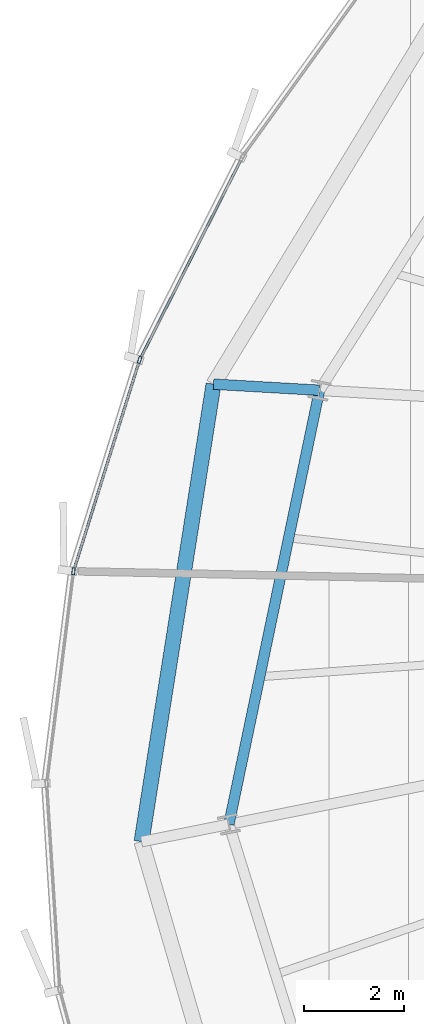
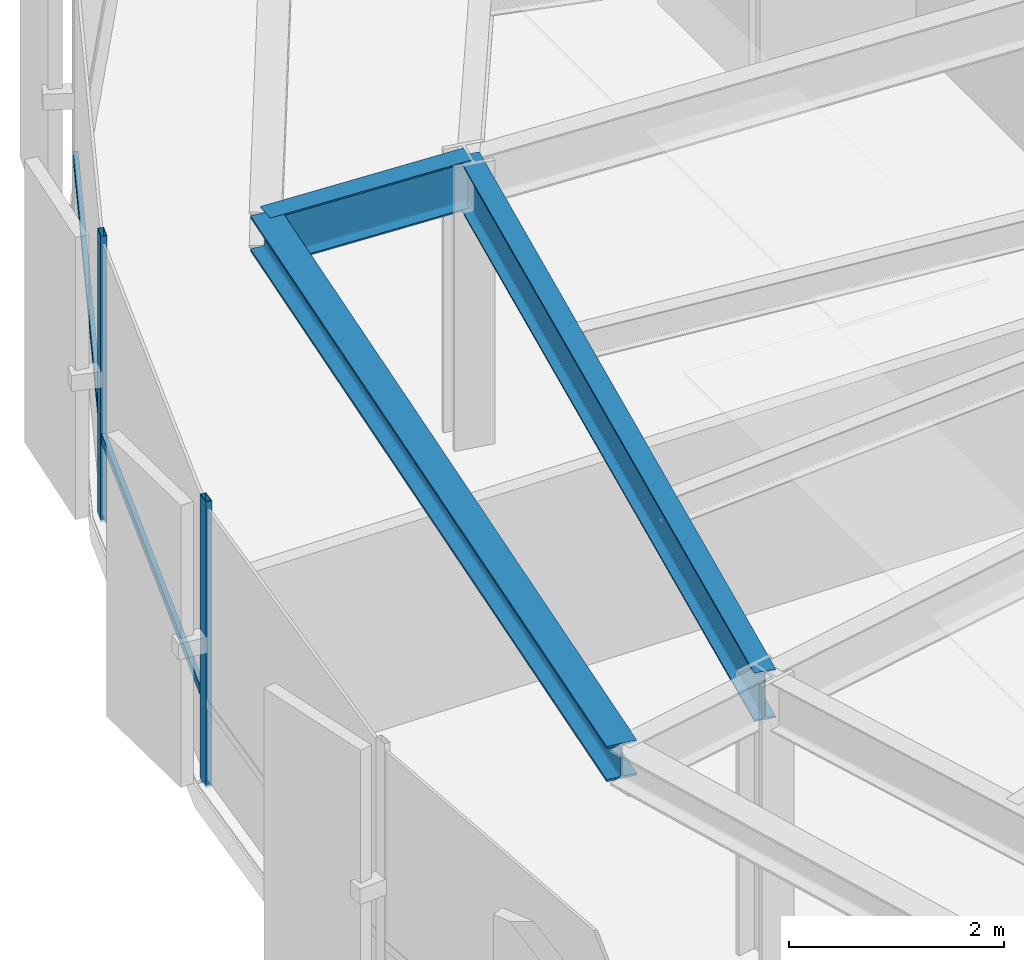
# One storey, part 11 of 35: 4 members, 3 beams, 1 element without a shape of its own.
"""IFC4 building model written with IfcOpenShell, lengths in metres."""

import ifcopenshell
import ifcopenshell.guid

model = None  # the IFC model being written
_history = None  # IfcOwnerHistory: only IFC2X3 demands one
_inside = {}  # id of a spatial element -> (the spatial element, [elements in it])
_under = {}  # id of a project, library or spatial element -> (it, [spatial elements below it])
_declared = {}  # id of a project -> (the project, [libraries it declares])
_typed = {}  # id of a type object -> (the type object, [elements of that type])
_made_of = {}  # id of a material, layer set ... -> (it, [elements and type objects made of it])


def new_model(schema):
    """Start an empty IFC model of exactly this schema.

    Asked for "IFC4X3", IfcOpenShell would pick the latest addendum, in which some entities
    have other attributes; the version numbers below select the first issue.
    IFC2X3 requires an IfcOwnerHistory on every rooted entity: one is made here for all.
    """
    global model, _history
    if schema == "IFC4X3":
        model = ifcopenshell.file(schema_version=(4, 3, 0, 0))
    else:
        model = ifcopenshell.file(schema=schema)
    _inside.clear()
    _under.clear()
    _declared.clear()
    _typed.clear()
    _made_of.clear()
    _history = None
    if model.schema == "IFC2X3":
        org = make("IfcOrganization", Name="unknown")
        user = make(
            "IfcPersonAndOrganization",
            ThePerson=make("IfcPerson", FamilyName="unknown"),
            TheOrganization=org,
        )
        app = make(
            "IfcApplication",
            ApplicationDeveloper=org,
            Version="unknown",
            ApplicationFullName="unknown",
            ApplicationIdentifier="unknown",
        )
        _history = make(
            "IfcOwnerHistory",
            OwningUser=user,
            OwningApplication=app,
            ChangeAction="ADDED",
            CreationDate=0,
        )
    return model


def make(cls, **values):
    """One entity of the class cls with the attributes given. An attribute that is None is left unset."""
    return model.create_entity(
        cls, **{name: value for name, value in values.items() if value is not None}
    )


def rooted(cls, **values):
    """An entity with a GlobalId (a new one), such as an element, a storey or a relation."""
    return make(cls, GlobalId=ifcopenshell.guid.new(), OwnerHistory=_history, **values)


def si_unit(unit_type, name, prefix=None):
    """IfcSIUnit, for example si_unit("LENGTHUNIT", "METRE", prefix="MILLI")."""
    return make("IfcSIUnit", UnitType=unit_type, Prefix=prefix, Name=name)


def assignment(units):
    """IfcUnitAssignment: the units of a project."""
    return None if units is None else make("IfcUnitAssignment", Units=units)


def point(xyz):
    """IfcCartesianPoint."""
    return None if xyz is None else make("IfcCartesianPoint", Coordinates=xyz)


def direction(xyz):
    """IfcDirection."""
    return None if xyz is None else make("IfcDirection", DirectionRatios=xyz)


def frame(location, z_axis=None, x_axis=None):
    """IfcAxis2Placement3D, a coordinate frame: its origin and axes. An axis left out is left unset."""
    return make(
        "IfcAxis2Placement3D",
        Location=point(location),
        Axis=direction(z_axis),
        RefDirection=direction(x_axis),
    )


def frame_2d(location, x_axis=None):
    """IfcAxis2Placement2D, a coordinate frame in the plane: its origin and x axis."""
    return make(
        "IfcAxis2Placement2D", Location=point(location), RefDirection=direction(x_axis)
    )


def origin():
    """The frame at (0, 0, 0) with its axes left unset."""
    return frame((0.0, 0.0, 0.0))


def origin_2d():
    """The frame at (0, 0) in the plane with its x axis left unset."""
    return frame_2d((0.0, 0.0))


def place(relative_to, where):
    """IfcLocalPlacement: puts the frame where relative to a parent placement (None: the world)."""
    return make(
        "IfcLocalPlacement", PlacementRelTo=relative_to, RelativePlacement=where
    )


def context(
    kind, dimensions, precision=None, world=None, true_north=None, identifier=None
):
    """IfcGeometricRepresentationContext, for example the 3D "Model" context."""
    return make(
        "IfcGeometricRepresentationContext",
        ContextIdentifier=identifier,
        ContextType=kind,
        CoordinateSpaceDimension=dimensions,
        Precision=precision,
        WorldCoordinateSystem=world,
        TrueNorth=true_north,
    )


def subcontext(parent, identifier, kind, view, scale=None):
    """IfcGeometricRepresentationSubContext, for example "Body" below "Model"."""
    return make(
        "IfcGeometricRepresentationSubContext",
        ContextIdentifier=identifier,
        ContextType=kind,
        ParentContext=parent,
        TargetScale=scale,
        TargetView=view,
    )


def project(units=None, contexts=None):
    """IfcProject with its units and contexts."""
    return rooted(
        "IfcProject",
        Name="project",
        RepresentationContexts=contexts,
        UnitsInContext=assignment(units),
    )


def spatial(cls, under=None, at=None, **own):
    """A site, building, storey or space (cls), placed at a placement, below another one or the project."""
    s = rooted(cls, ObjectPlacement=at, **own)
    if under is not None:
        _under.setdefault(under.id(), (under, []))[1].append(s)
    return s


def profile(cls, at=None, kind="AREA", **sizes):
    """A parametric profile (cls). Its sizes go by their IFC names, for example OverallWidth=200.0."""
    return make(cls, ProfileType=kind, Position=at, **sizes)


def hollow_rectangle(**sizes):
    """IfcRectangleHollowProfileDef."""
    return profile("IfcRectangleHollowProfileDef", **sizes)


def i_section(**sizes):
    """IfcIShapeProfileDef."""
    return profile("IfcIShapeProfileDef", **sizes)


def extrude(swept, where, along, depth):
    """IfcExtrudedAreaSolid: the profile swept, set in the frame where, extruded along a direction by depth."""
    return make(
        "IfcExtrudedAreaSolid",
        SweptArea=swept,
        Position=where,
        ExtrudedDirection=direction(along),
        Depth=depth,
    )


def shape(context_of_items, identifier, shape_type, items):
    """IfcShapeRepresentation: the items that make up one representation, for example the "Body"."""
    return make(
        "IfcShapeRepresentation",
        ContextOfItems=context_of_items,
        RepresentationIdentifier=identifier,
        RepresentationType=shape_type,
        Items=items,
    )


def source(mapping_origin, context_of_items, identifier, shape_type, items):
    """IfcRepresentationMap: a shape defined once, which mapped items show again and again."""
    return make(
        "IfcRepresentationMap",
        MappingOrigin=mapping_origin,
        MappedRepresentation=shape(context_of_items, identifier, shape_type, items),
    )


def transform(
    local_origin,
    x_axis=None,
    y_axis=None,
    z_axis=None,
    scale=None,
    scale2=None,
    scale3=None,
    uniform=True,
):
    """IfcCartesianTransformationOperator3D, or its non-uniform kind. x_axis, y_axis, z_axis: its Axis1, 2, 3."""
    if uniform:
        return make(
            "IfcCartesianTransformationOperator3D",
            Axis1=direction(x_axis),
            Axis2=direction(y_axis),
            LocalOrigin=point(local_origin),
            Scale=scale,
            Axis3=direction(z_axis),
        )
    return make(
        "IfcCartesianTransformationOperator3DnonUniform",
        Axis1=direction(x_axis),
        Axis2=direction(y_axis),
        LocalOrigin=point(local_origin),
        Scale=scale,
        Axis3=direction(z_axis),
        Scale2=scale2,
        Scale3=scale3,
    )


def mapped(mapping_source, mapping_target):
    """IfcMappedItem: shows the shape of a source again, moved by a transform."""
    return make(
        "IfcMappedItem", MappingSource=mapping_source, MappingTarget=mapping_target
    )


def material(Name=None, Category=None):
    """IfcMaterial."""
    return make("IfcMaterial", Name=Name, Category=Category)


def layer(
    of_material, thickness, ventilated=None, Name=None, Category=None, Priority=None
):
    """IfcMaterialLayer: one layer of a wall or slab, of a material (None: an air gap)."""
    return make(
        "IfcMaterialLayer",
        Material=of_material,
        LayerThickness=thickness,
        IsVentilated=ventilated,
        Name=Name,
        Category=Category,
        Priority=Priority,
    )


def layer_set(layers, Name=None):
    """IfcMaterialLayerSet."""
    return make("IfcMaterialLayerSet", MaterialLayers=layers, LayerSetName=Name)


def material_profile(
    of_material, cross_section, Name=None, Category=None, Priority=None
):
    """IfcMaterialProfile: a cross section and its material."""
    return make(
        "IfcMaterialProfile",
        Name=Name,
        Material=of_material,
        Profile=cross_section,
        Priority=Priority,
        Category=Category,
    )


def profile_set(profiles, Name=None, composite=None):
    """IfcMaterialProfileSet."""
    return make(
        "IfcMaterialProfileSet",
        Name=Name,
        MaterialProfiles=profiles,
        CompositeProfile=composite,
    )


def made_of(thing, what):
    """Note that an element or type object is made of a material, layer set ...; save() writes the relation."""
    if what is not None:
        _made_of.setdefault(what.id(), (what, []))[1].append(thing)
    return thing


def type_object(cls, material=None, **own):
    """A type object (cls), such as IfcWallType, which elements share."""
    return made_of(rooted(cls, **own), material)


def element(
    cls,
    number,
    at=None,
    inside=None,
    cuts=None,
    type_object=None,
    material=None,
    context=None,
    identifier="Body",
    shape_type=None,
    held_by="IfcProductDefinitionShape",
    body=None,
    shapes=None,
    **own,
):
    """One element of the class cls, such as IfcWall. Its Tag is "e" and its number.

    at: its placement. inside: the storey or other place that contains it. cuts: it is an
    opening in that element (IfcRelVoidsElement). A single representation is given by context,
    identifier, shape_type and body (its items); several are given by shapes. held_by: the class
    of the entity that holds the representations. save() writes the other relations.
    """
    e = rooted(cls, Tag="e%d" % number, ObjectPlacement=at, **own)
    if body is not None:
        shapes = [shape(context, identifier, shape_type, body)]
    if shapes is not None:
        e.Representation = make(held_by, Representations=shapes)
    if inside is not None:
        _inside.setdefault(inside.id(), (inside, []))[1].append(e)
    if cuts is not None:
        rooted(
            "IfcRelVoidsElement", RelatingBuildingElement=cuts, RelatedOpeningElement=e
        )
    if type_object is not None:
        _typed.setdefault(type_object.id(), (type_object, []))[1].append(e)
    return made_of(e, material)


def aggregate(whole, parts):
    """IfcRelAggregates: a whole, such as a stair, and the parts it consists of."""
    return rooted("IfcRelAggregates", RelatingObject=whole, RelatedObjects=parts)


def save(model, path):
    """Write the relations noted so far, then the file.

    IfcRelAggregates (storeys below a building ...), IfcRelContainedInSpatialStructure (elements
    in a storey), IfcRelDefinesByType, IfcRelAssociatesMaterial and IfcRelDeclares: one each for
    every whole, place, type object, material and project.
    """
    for whole, parts in _under.values():
        aggregate(whole, parts)
    for where, things in _inside.values():
        rooted(
            "IfcRelContainedInSpatialStructure",
            RelatedElements=things,
            RelatingStructure=where,
        )
    for kind, things in _typed.values():
        rooted("IfcRelDefinesByType", RelatedObjects=things, RelatingType=kind)
    for what, things in _made_of.values():
        rooted("IfcRelAssociatesMaterial", RelatedObjects=things, RelatingMaterial=what)
    for by, libraries in _declared.values():
        rooted("IfcRelDeclares", RelatingContext=by, RelatedDefinitions=libraries)
    model.write(path)


model = new_model("IFC4")

# Units and contexts
model_context = context("Model", 3, precision=1e-05, world=origin(), true_north=direction((0.0, 1.0)))
body_context = subcontext(model_context, "Body", "Model", "MODEL_VIEW")
ifc_project = project(units=[si_unit("LENGTHUNIT", "METRE"), si_unit("AREAUNIT", "SQUARE_METRE"), si_unit("VOLUMEUNIT", "CUBIC_METRE"), si_unit("PLANEANGLEUNIT", "RADIAN"), si_unit("MASSUNIT", "GRAM", prefix="KILO"), si_unit("THERMODYNAMICTEMPERATUREUNIT", "KELVIN")], contexts=[model_context])

# Site, building, storey
site_placement = place(None, origin())
site = spatial("IfcSite", under=ifc_project, at=site_placement, CompositionType="ELEMENT")
building_placement = place(site_placement, origin())
building = spatial("IfcBuilding", under=site, at=building_placement, Name="Kethvar Cultural Tower", CompositionType="ELEMENT")
storey_placement = place(building_placement, frame((0.0, 0.0, 167.85009765625)))
storey = spatial("IfcBuildingStorey", under=building, at=storey_placement, Name="L43", CompositionType="ELEMENT", Elevation=167.85009765625)

# Beams
ifc_material_1 = material(Name="Steel S355J2", Category="steel")
ifc_material_profile_1 = material_profile(ifc_material_1, i_section(OverallWidth=0.2099609375, OverallDepth=0.550048828125, WebThickness=0.010986328125, FlangeThickness=0.01708984375, FilletRadius=0.02392578125, at=origin_2d()), Name="Steel S355J2 — IPE550")
ifc_profile_set_1 = profile_set([ifc_material_profile_1], Name="Steel S355J2 — IPE550")
beam_type_1 = type_object("IfcBeamType", Name="BM-IPE550", PredefinedType="BEAM", material=ifc_profile_set_1)
shared_shape_1 = source(origin(), body_context, "Body", "SweptSolid", [
    extrude(i_section(OverallWidth=0.2099609375, OverallDepth=0.550048828125, WebThickness=0.010986328125, FlangeThickness=0.01708984375, FilletRadius=0.02392578125, at=origin_2d()), origin(), (0.0, 0.0, 1.0), 8.82421875),
])
beam_1_placement = place(storey_placement, frame((25.988525390625, 31.939697265625, 2.962890625), z_axis=(-0.204350879122, -0.978897705688, 0.0), x_axis=(0.978897705688, -0.204350879122, 0.0)))
element("IfcBeam", 1, at=beam_1_placement, inside=storey, type_object=beam_type_1, Name="L43 Column Ring Tie Beam CR-08", PredefinedType="BEAM", context=body_context, shape_type="MappedRepresentation", body=[
    mapped(shared_shape_1, transform((0.0, 0.0, 0.0), scale=1.0)),
])
shared_shape_2 = source(origin(), body_context, "Body", "SweptSolid", [
    extrude(i_section(OverallWidth=0.2099609375, OverallDepth=0.550048828125, WebThickness=0.010986328125, FlangeThickness=0.01708984375, FilletRadius=0.02392578125, at=origin_2d()), origin(), (0.0, 0.0, 1.0), 2.112548828125),
])
beam_2_placement = place(storey_placement, frame((25.988525390625, 31.939697265625, 2.962890625), z_axis=(-0.998355876903, 0.057319656782, 0.0), x_axis=(-0.057319656782, -0.998355876903, 0.0)))
element("IfcBeam", 2, at=beam_2_placement, inside=storey, type_object=beam_type_1, Name="L43 Perimeter Cantilever Beam RC-08", PredefinedType="BEAM", context=body_context, shape_type="MappedRepresentation", body=[
    mapped(shared_shape_2, transform((0.0, 0.0, 0.0), scale=1.0)),
])
ifc_material_profile_2 = material_profile(ifc_material_1, i_section(OverallWidth=0.300048828125, OverallDepth=0.39990234375, WebThickness=0.013427734375, FlangeThickness=0.02392578125, FilletRadius=0.027099609375, at=origin_2d()), Name="Steel S355J2 — HEB400")
ifc_profile_set_2 = profile_set([ifc_material_profile_2], Name="Steel S355J2 — HEB400")
beam_type_2 = type_object("IfcBeamType", Name="BM-SP400", PredefinedType="SPANDREL", material=ifc_profile_set_2)
shared_shape_3 = source(origin(), body_context, "Body", "SweptSolid", [
    extrude(i_section(OverallWidth=0.300048828125, OverallDepth=0.39990234375, WebThickness=0.013427734375, FlangeThickness=0.02392578125, FilletRadius=0.027099609375, at=origin_2d()), origin(), (0.0, 0.0, 1.0), 9.217041015625),
])
beam_3_placement = place(storey_placement, frame((23.87939453125, 32.060791015625, 3.037841796875), z_axis=(-0.155406225105, -0.987850649237, 0.0), x_axis=(0.987850649237, -0.155406225105, 0.0)))
element("IfcBeam", 3, at=beam_3_placement, inside=storey, type_object=beam_type_2, Name="L43 Perimeter Spandrel Beam SP-08", PredefinedType="SPANDREL", context=body_context, shape_type="MappedRepresentation", body=[
    mapped(shared_shape_3, transform((0.0, 0.0, 0.0), scale=1.0)),
])

# Curtain wall, members
ifc_material_2 = material(Name="Aluminium 6063-T6", Category="aluminium")
ifc_layer = layer(ifc_material_2, 0.179931640625, Name="Aluminium 6063-T6", Category="aluminium")
ifc_layer_set = layer_set([ifc_layer], Name="Aluminium 6063-T6 (180 mm)")
curtain_wall_type = type_object("IfcCurtainWallType", Name="CW-SYS-04-Z34", PredefinedType="NOTDEFINED", material=ifc_layer_set)
curtain_wall_placement = place(storey_placement, origin())
curtain_wall = element("IfcCurtainWall", 4, at=curtain_wall_placement, inside=storey, type_object=curtain_wall_type, Name="L43 Curtain Wall Run 03", PredefinedType="NOTDEFINED")
ifc_material_profile_3 = material_profile(ifc_material_2, hollow_rectangle(XDim=0.06005859375, YDim=0.139892578125, WallThickness=0.0048828125, at=origin_2d()), Name="Aluminium 6063-T6 — RHS140x60x5")
ifc_profile_set_3 = profile_set([ifc_material_profile_3], Name="Aluminium 6063-T6 — RHS140x60x5")
member_type_1 = type_object("IfcMemberType", Name="CW-SYS-04-Z34-MUL", PredefinedType="MULLION", material=ifc_profile_set_3)
shared_shape_4 = source(origin(), body_context, "Body", "SweptSolid", [
    extrude(hollow_rectangle(XDim=0.06005859375, YDim=0.139892578125, WallThickness=0.0048828125, at=origin_2d()), origin(), (0.0, 0.0, 1.0), 3.239990234375),
])
member_1_placement = place(storey_placement, frame((22.408203125, 32.543212890625, 0.0), z_axis=(0.0, 0.0, 1.0), x_axis=(0.954474900269, -0.2982912415, 0.0)))
member_1 = element("IfcMember", 5, at=member_1_placement, type_object=member_type_1, Name="CW-L43-R03 Mullion 2", PredefinedType="MULLION", context=body_context, shape_type="MappedRepresentation", body=[
    mapped(shared_shape_4, transform((0.0, 0.0, 0.0), scale=1.0)),
])
member_2_placement = place(storey_placement, frame((21.092041015625, 28.33740234375, 0.0), z_axis=(0.0, 0.0, 1.0), x_axis=(0.992110325755, -0.125367864824, 0.0)))
member_2 = element("IfcMember", 6, at=member_2_placement, type_object=member_type_1, Name="CW-L43-R03 Mullion 3", PredefinedType="MULLION", context=body_context, shape_type="MappedRepresentation", body=[
    mapped(shared_shape_4, transform((0.0, 0.0, 0.0), scale=1.0)),
])
ifc_material_profile_4 = material_profile(ifc_material_2, hollow_rectangle(XDim=0.050048828125, YDim=0.10009765625, WallThickness=0.00390625, at=origin_2d()), Name="Aluminium 6063-T6 — RHS100x50x4")
ifc_profile_set_4 = profile_set([ifc_material_profile_4], Name="Aluminium 6063-T6 — RHS100x50x4")
member_type_2 = type_object("IfcMemberType", Name="CW-SYS-04-Z34-TRN", PredefinedType="USERDEFINED", material=ifc_profile_set_4)
shared_shape_5 = source(origin(), body_context, "Body", "SweptSolid", [
    extrude(hollow_rectangle(XDim=0.050048828125, YDim=0.10009765625, WallThickness=0.00390625, at=origin_2d()), origin(), (0.0, 0.0, 1.0), 4.486328125),
])
member_3_placement = place(storey_placement, frame((24.44677734375, 36.56787109375, 0.949951171875), z_axis=(-0.451561749502, -0.892239870431, 0.0), x_axis=(0.892239870431, -0.451561749502, 0.0)))
member_3 = element("IfcMember", 7, at=member_3_placement, type_object=member_type_2, Name="CW-L43-R03 Transom 1", ObjectType="TRANSOM", PredefinedType="USERDEFINED", context=body_context, shape_type="MappedRepresentation", body=[
    mapped(shared_shape_5, transform((0.0, 0.0, 0.0), scale=1.0)),
])
shared_shape_6 = source(origin(), body_context, "Body", "SweptSolid", [
    extrude(hollow_rectangle(XDim=0.050048828125, YDim=0.10009765625, WallThickness=0.00390625, at=origin_2d()), origin(), (0.0, 0.0, 1.0), 4.340087890625),
])
member_4_placement = place(storey_placement, frame((22.3955078125, 32.502197265625, 0.949951171875), z_axis=(-0.298300616394, -0.954471970389, 0.0), x_axis=(0.954471970389, -0.298300616394, 0.0)))
member_4 = element("IfcMember", 8, at=member_4_placement, type_object=member_type_2, Name="CW-L43-R03 Transom 2", ObjectType="TRANSOM", PredefinedType="USERDEFINED", context=body_context, shape_type="MappedRepresentation", body=[
    mapped(shared_shape_6, transform((0.0, 0.0, 0.0), scale=1.0)),
])
aggregate(curtain_wall, [member_1, member_2, member_3, member_4])

save(model, "model.ifc")
